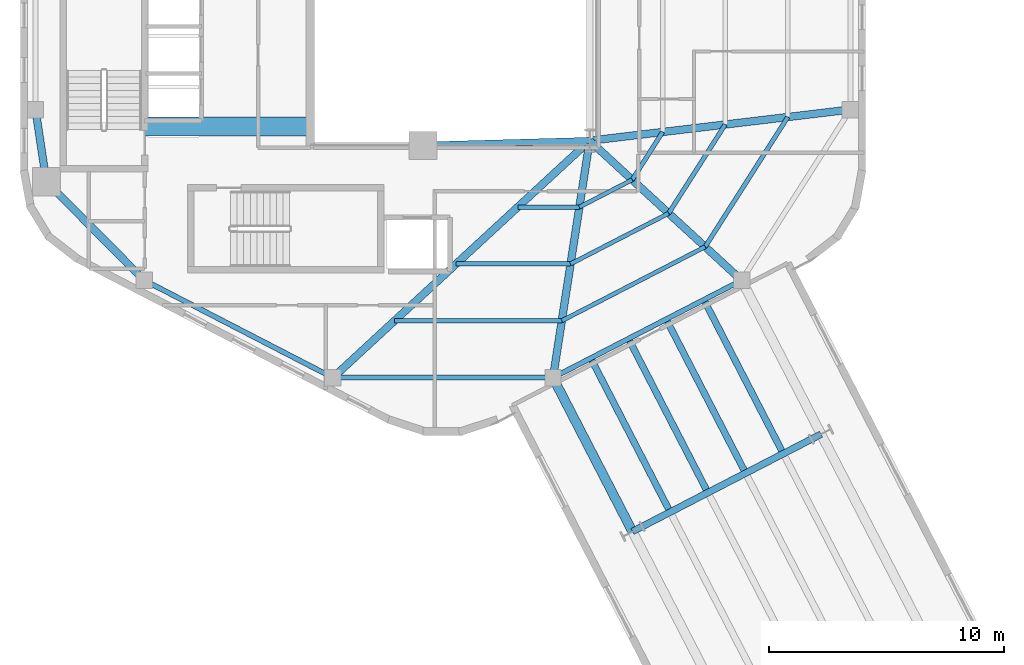
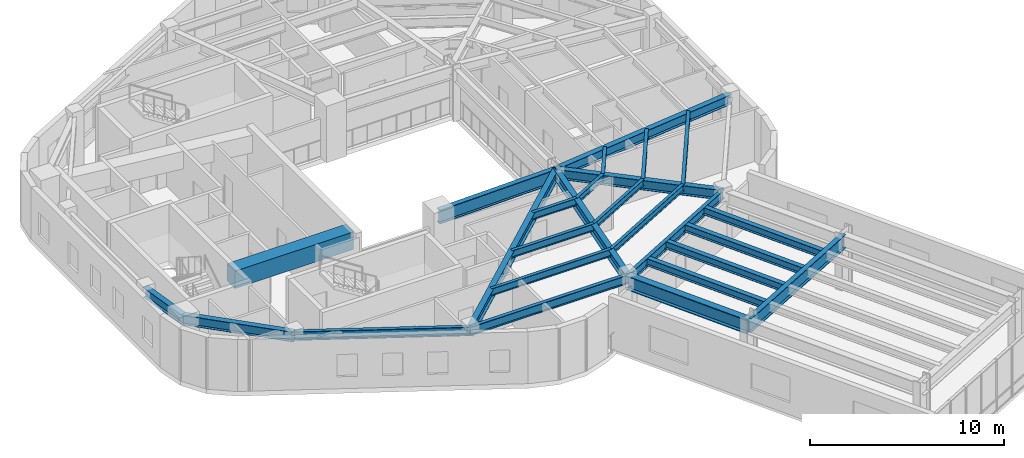
# One storey, part 3 of 10: 26 beams.
"""IFC4 building model written with IfcOpenShell, lengths in metres."""

from ifc_helpers import new_model, si_unit, direction, frame, origin, origin_2d, place, context, subcontext, project, spatial, rectangle, i_section, extrude, material, material_profile, profile_set, type_object, element, save


model = new_model("IFC4")

# Units and contexts
model_context = context("Model", 3, precision=1e-05, world=origin(), true_north=direction((0.0, 1.0)))
body_context = subcontext(model_context, "Body", "Model", "MODEL_VIEW")
ifc_project = project(units=[si_unit("LENGTHUNIT", "METRE"), si_unit("AREAUNIT", "SQUARE_METRE"), si_unit("VOLUMEUNIT", "CUBIC_METRE"), si_unit("PLANEANGLEUNIT", "RADIAN"), si_unit("MASSUNIT", "GRAM", prefix="KILO"), si_unit("THERMODYNAMICTEMPERATUREUNIT", "KELVIN"), si_unit("POWERUNIT", "WATT")], contexts=[model_context])

# Site, building, storey
site_placement = place(None, origin())
site = spatial("IfcSite", under=ifc_project, at=site_placement, CompositionType="ELEMENT")
building_placement = place(site_placement, origin())
building = spatial("IfcBuilding", under=site, at=building_placement, Name="Skarre Station Tower", CompositionType="ELEMENT")
storey_placement = place(building_placement, frame((0.0, 0.0, 238.35009765625)))
storey = spatial("IfcBuildingStorey", under=building, at=storey_placement, Name="L65", CompositionType="ELEMENT", Elevation=238.35009765625)

# Beams
ifc_material_1 = material(Name="Concrete C70/85", Category="concrete")
ifc_material_profile_1 = material_profile(ifc_material_1, rectangle(XDim=0.800048828125, YDim=1.10009765625, at=origin_2d()), Name="Concrete C70/85")
ifc_profile_set_1 = profile_set([ifc_material_profile_1], Name="Concrete C70/85")
beam_type_1 = type_object("IfcBeamType", Name="RC Core Coupling Lintel 800x1100", PredefinedType="LINTEL", material=ifc_profile_set_1)
beam_1_placement = place(storey_placement, frame((20.489990234375, 19.260009765625, 2.7099609375), z_axis=(1.0, 0.0, 0.0), x_axis=(0.0, 1.0, 0.0)))
element("IfcBeam", 1, at=beam_1_placement, inside=storey, type_object=beam_type_1, Name="L65 South Core Coupling Lintel", PredefinedType="LINTEL", context=body_context, shape_type="SweptSolid", body=[
    extrude(rectangle(XDim=0.800048828125, YDim=1.10009765625, at=origin_2d()), origin(), (0.0, 0.0, 1.0), 7.06005859375),
])
ifc_material_2 = material(Name="Steel ASTM A992 Grade 50", Category="steel")
ifc_material_profile_2 = material_profile(ifc_material_2, i_section(OverallWidth=0.323974609375, OverallDepth=0.611083984375, WebThickness=0.012939453125, FlangeThickness=0.01904296875, at=origin_2d()), Name="Steel ASTM A992 Grade 50")
ifc_profile_set_2 = profile_set([ifc_material_profile_2], Name="Steel ASTM A992 Grade 50")
beam_type_2 = type_object("IfcBeamType", Name="Steel Beam W24X104", PredefinedType="BEAM", material=ifc_profile_set_2)
beam_2_placement = place(storey_placement, frame((16.300048828125, 16.89990234375, 2.954833984375), z_axis=(-0.148739188492, 0.988876460336, 0.0), x_axis=(-0.988876460336, -0.148739188492, 0.0)))
element("IfcBeam", 2, at=beam_2_placement, inside=storey, type_object=beam_type_2, Name="L65 Radial Floor Girder F2C2", PredefinedType="BEAM", context=body_context, shape_type="SweptSolid", body=[
    extrude(i_section(OverallWidth=0.323974609375, OverallDepth=0.611083984375, WebThickness=0.012939453125, FlangeThickness=0.01904296875, at=origin_2d()), origin(), (0.0, 0.0, 1.0), 3.11376953125),
])
beam_3_placement = place(storey_placement, frame((16.300048828125, 16.89990234375, 2.954833984375), z_axis=(0.704979413242, -0.709227768002, 0.0), x_axis=(0.709227768002, 0.704979413242, 0.0)))
element("IfcBeam", 3, at=beam_3_placement, inside=storey, type_object=beam_type_2, Name="L65 Radial Floor Girder F3C1", PredefinedType="BEAM", context=body_context, shape_type="SweptSolid", body=[
    extrude(i_section(OverallWidth=0.323974609375, OverallDepth=0.611083984375, WebThickness=0.012939453125, FlangeThickness=0.01904296875, at=origin_2d()), origin(), (0.0, 0.0, 1.0), 5.919189453125),
])
beam_4_placement = place(storey_placement, frame((39.449951171875, 18.64990234375, 2.954833984375), z_axis=(-0.734822935818, -0.678258986668, 0.0), x_axis=(0.678258986668, -0.734822935818, 0.0)))
element("IfcBeam", 4, at=beam_4_placement, inside=storey, type_object=beam_type_2, Name="L65 Radial Floor Girder F3C2", PredefinedType="BEAM", context=body_context, shape_type="SweptSolid", body=[
    extrude(i_section(OverallWidth=0.323974609375, OverallDepth=0.611083984375, WebThickness=0.012939453125, FlangeThickness=0.01904296875, at=origin_2d()), origin(), (0.0, 0.0, 1.0), 14.886474609375),
])
beam_5_placement = place(storey_placement, frame((39.449951171875, 18.64990234375, 2.954833984375), z_axis=(-0.152789762931, -0.988258715288, 0.0), x_axis=(0.988258715288, -0.152789762931, 0.0)))
element("IfcBeam", 5, at=beam_5_placement, inside=storey, type_object=beam_type_2, Name="L65 Radial Floor Girder F4C1", PredefinedType="BEAM", context=body_context, shape_type="SweptSolid", body=[
    extrude(i_section(OverallWidth=0.323974609375, OverallDepth=0.611083984375, WebThickness=0.012939453125, FlangeThickness=0.01904296875, at=origin_2d()), origin(), (0.0, 0.0, 1.0), 10.216796875),
])
beam_6_placement = place(storey_placement, frame((39.449951171875, 18.64990234375, 2.954833984375), z_axis=(0.736547671183, -0.676385635621, 0.0), x_axis=(0.676385635621, 0.736547671183, 0.0)))
element("IfcBeam", 6, at=beam_6_placement, inside=storey, type_object=beam_type_2, Name="L65 Radial Floor Girder F4C2", PredefinedType="BEAM", context=body_context, shape_type="SweptSolid", body=[
    extrude(i_section(OverallWidth=0.323974609375, OverallDepth=0.611083984375, WebThickness=0.012939453125, FlangeThickness=0.01904296875, at=origin_2d()), origin(), (0.0, 0.0, 1.0), 8.793701171875),
])
beam_7_placement = place(storey_placement, frame((39.449951171875, 18.64990234375, 2.954833984375), z_axis=(0.99292393128, 0.118752122891, 0.0), x_axis=(-0.118752122891, 0.99292393128, 0.0)))
element("IfcBeam", 7, at=beam_7_placement, inside=storey, type_object=beam_type_2, Name="L65 Radial Floor Girder F5C1", PredefinedType="BEAM", context=body_context, shape_type="SweptSolid", body=[
    extrude(i_section(OverallWidth=0.323974609375, OverallDepth=0.611083984375, WebThickness=0.012939453125, FlangeThickness=0.01904296875, at=origin_2d()), origin(), (0.0, 0.0, 1.0), 11.192138671875),
])
ifc_material_profile_3 = material_profile(ifc_material_2, i_section(OverallWidth=0.2919921875, OverallDepth=0.85888671875, WebThickness=0.01708984375, FlangeThickness=0.031005859375, at=origin_2d()), Name="Steel ASTM A992 Grade 50")
ifc_profile_set_3 = profile_set([ifc_material_profile_3], Name="Steel ASTM A992 Grade 50")
beam_type_3 = type_object("IfcBeamType", Name="Steel Beam W33X169", PredefinedType="BEAM", material=ifc_profile_set_3)
beam_8_placement = place(storey_placement, frame((32.35009765625, 18.449951171875, 2.830810546875), z_axis=(0.999603666405, 0.028151556095, 0.0), x_axis=(-0.028151556095, 0.999603666405, 0.0)))
element("IfcBeam", 8, at=beam_8_placement, inside=storey, type_object=beam_type_3, Name="L65 Atrium South Edge Girder", PredefinedType="BEAM", context=body_context, shape_type="SweptSolid", body=[
    extrude(i_section(OverallWidth=0.2919921875, OverallDepth=0.85888671875, WebThickness=0.01708984375, FlangeThickness=0.031005859375, at=origin_2d()), origin(), (0.0, 0.0, 1.0), 7.102783203125),
])
beam_9_placement = place(storey_placement, frame((41.27392578125, 1.9951171875, 2.830810546875), z_axis=(0.888610011727, 0.458663544505, 0.0), x_axis=(-0.458663544505, 0.888610011727, 0.0)))
element("IfcBeam", 9, at=beam_9_placement, inside=storey, type_object=beam_type_3, Name="L65 SB-5 Mid Transverse Girder", PredefinedType="BEAM", context=body_context, shape_type="SweptSolid", body=[
    extrude(i_section(OverallWidth=0.2919921875, OverallDepth=0.85888671875, WebThickness=0.01708984375, FlangeThickness=0.031005859375, at=origin_2d()), origin(), (0.0, 0.0, 1.0), 9.045654296875),
])
ifc_material_profile_4 = material_profile(ifc_material_2, i_section(OverallWidth=0.40087890625, OverallDepth=0.876953125, WebThickness=0.02197265625, FlangeThickness=0.0400390625, at=origin_2d()), Name="Steel ASTM A992 Grade 50")
ifc_profile_set_4 = profile_set([ifc_material_profile_4], Name="Steel ASTM A992 Grade 50")
beam_type_4 = type_object("IfcBeamType", Name="Steel Beam W33X263", PredefinedType="BEAM", material=ifc_profile_set_4)
beam_10_placement = place(storey_placement, frame((37.888916015625, 8.552978515625, 2.822021484375), z_axis=(0.45867578355, -0.888603694334, 0.0), x_axis=(0.888603694334, 0.45867578355, 0.0)))
element("IfcBeam", 10, at=beam_10_placement, inside=storey, type_object=beam_type_4, Name="L65 SB-5 Side 1 Inner Girder", PredefinedType="BEAM", context=body_context, shape_type="SweptSolid", body=[
    extrude(i_section(OverallWidth=0.40087890625, OverallDepth=0.876953125, WebThickness=0.02197265625, FlangeThickness=0.0400390625, at=origin_2d()), origin(), (0.0, 0.0, 1.0), 7.3798828125),
])
ifc_material_profile_5 = material_profile(ifc_material_2, i_section(OverallWidth=0.177978515625, OverallDepth=0.403076171875, WebThickness=0.008056640625, FlangeThickness=0.010986328125, at=origin_2d()), Name="Steel ASTM A992 Grade 50")
ifc_profile_set_5 = profile_set([ifc_material_profile_5], Name="Steel ASTM A992 Grade 50")
beam_type_5 = type_object("IfcBeamType", Name="Steel Joist W16X36", PredefinedType="JOIST", material=ifc_profile_set_5)
beam_11_placement = place(storey_placement, frame((39.012939453125, 15.822998046875, 3.058837890625), z_axis=(0.888569970054, 0.458741112522, 0.0), x_axis=(-0.458741112522, 0.888569970054, 0.0)))
element("IfcBeam", 11, at=beam_11_placement, inside=storey, type_object=beam_type_5, Name="L65 Auxiliary Composite Joist 15", PredefinedType="JOIST", context=body_context, shape_type="SweptSolid", body=[
    extrude(i_section(OverallWidth=0.177978515625, OverallDepth=0.403076171875, WebThickness=0.008056640625, FlangeThickness=0.010986328125, at=origin_2d()), origin(), (0.0, 0.0, 1.0), 2.533203125),
])
beam_12_placement = place(storey_placement, frame((38.637939453125, 13.39990234375, 3.058837890625), z_axis=(0.88866637077, 0.458554338614, 0.0), x_axis=(-0.458554338614, 0.88866637077, 0.0)))
element("IfcBeam", 12, at=beam_12_placement, inside=storey, type_object=beam_type_5, Name="L65 Auxiliary Composite Joist 16", PredefinedType="JOIST", context=body_context, shape_type="SweptSolid", body=[
    extrude(i_section(OverallWidth=0.177978515625, OverallDepth=0.403076171875, WebThickness=0.008056640625, FlangeThickness=0.010986328125, at=origin_2d()), origin(), (0.0, 0.0, 1.0), 4.703857421875),
])
beam_13_placement = place(storey_placement, frame((38.263916015625, 10.97607421875, 3.058837890625), z_axis=(0.888578636, 0.458724326414, 0.0), x_axis=(-0.458724326414, 0.888578636, 0.0)))
element("IfcBeam", 13, at=beam_13_placement, inside=storey, type_object=beam_type_5, Name="L65 Auxiliary Composite Joist 17", PredefinedType="JOIST", context=body_context, shape_type="SweptSolid", body=[
    extrude(i_section(OverallWidth=0.177978515625, OverallDepth=0.403076171875, WebThickness=0.008056640625, FlangeThickness=0.010986328125, at=origin_2d()), origin(), (0.0, 0.0, 1.0), 6.875244140625),
])
ifc_material_profile_6 = material_profile(ifc_material_2, i_section(OverallWidth=0.19091796875, OverallDepth=0.45703125, WebThickness=0.009033203125, FlangeThickness=0.013916015625, at=origin_2d()), Name="Steel ASTM A992 Grade 50")
ifc_profile_set_6 = profile_set([ifc_material_profile_6], Name="Steel ASTM A992 Grade 50")
beam_type_6 = type_object("IfcBeamType", Name="Steel Joist W18X50", PredefinedType="JOIST", material=ifc_profile_set_6)
beam_14_placement = place(storey_placement, frame((36.386962890625, 15.822998046875, 3.031982421875), z_axis=(1.0, 0.0, 0.0), x_axis=(0.0, 1.0, 0.0)))
element("IfcBeam", 14, at=beam_14_placement, inside=storey, type_object=beam_type_6, Name="L65 Auxiliary Composite Joist 12", PredefinedType="JOIST", context=body_context, shape_type="SweptSolid", body=[
    extrude(i_section(OverallWidth=0.19091796875, OverallDepth=0.45703125, WebThickness=0.009033203125, FlangeThickness=0.013916015625, at=origin_2d()), origin(), (0.0, 0.0, 1.0), 2.6259765625),
])
beam_15_placement = place(storey_placement, frame((33.761962890625, 13.39990234375, 3.031982421875), z_axis=(1.0, 0.0, 0.0), x_axis=(0.0, 1.0, 0.0)))
element("IfcBeam", 15, at=beam_15_placement, inside=storey, type_object=beam_type_6, Name="L65 Auxiliary Composite Joist 13", PredefinedType="JOIST", context=body_context, shape_type="SweptSolid", body=[
    extrude(i_section(OverallWidth=0.19091796875, OverallDepth=0.45703125, WebThickness=0.009033203125, FlangeThickness=0.013916015625, at=origin_2d()), origin(), (0.0, 0.0, 1.0), 4.8759765625),
])
beam_16_placement = place(storey_placement, frame((31.135986328125, 10.97607421875, 3.031982421875), z_axis=(1.0, 0.0, 0.0), x_axis=(0.0, 1.0, 0.0)))
element("IfcBeam", 16, at=beam_16_placement, inside=storey, type_object=beam_type_6, Name="L65 Auxiliary Composite Joist 14", PredefinedType="JOIST", context=body_context, shape_type="SweptSolid", body=[
    extrude(i_section(OverallWidth=0.19091796875, OverallDepth=0.45703125, WebThickness=0.009033203125, FlangeThickness=0.013916015625, at=origin_2d()), origin(), (0.0, 0.0, 1.0), 7.1279296875),
])
beam_17_placement = place(storey_placement, frame((41.263916015625, 16.985107421875, 3.031982421875), z_axis=(0.537437848622, 0.843303361116, 0.0), x_axis=(-0.843303361116, 0.537437848622, 0.0)))
element("IfcBeam", 17, at=beam_17_placement, inside=storey, type_object=beam_type_6, Name="L65 Auxiliary Composite Joist 18", PredefinedType="JOIST", context=body_context, shape_type="SweptSolid", body=[
    extrude(i_section(OverallWidth=0.19091796875, OverallDepth=0.45703125, WebThickness=0.009033203125, FlangeThickness=0.013916015625, at=origin_2d()), origin(), (0.0, 0.0, 1.0), 2.415283203125),
])
beam_18_placement = place(storey_placement, frame((42.818115234375, 15.556884765625, 3.031982421875), z_axis=(0.53731551376, 0.843381312737, 0.0), x_axis=(-0.843381312737, 0.53731551376, 0.0)))
element("IfcBeam", 18, at=beam_18_placement, inside=storey, type_object=beam_type_6, Name="L65 Auxiliary Composite Joist 19", PredefinedType="JOIST", context=body_context, shape_type="SweptSolid", body=[
    extrude(i_section(OverallWidth=0.19091796875, OverallDepth=0.45703125, WebThickness=0.009033203125, FlangeThickness=0.013916015625, at=origin_2d()), origin(), (0.0, 0.0, 1.0), 4.48681640625),
])
beam_19_placement = place(storey_placement, frame((44.373046875, 14.1298828125, 3.031982421875), z_axis=(0.537292232804, 0.843396144507, 0.0), x_axis=(-0.843396144507, 0.537292232804, 0.0)))
element("IfcBeam", 19, at=beam_19_placement, inside=storey, type_object=beam_type_6, Name="L65 Auxiliary Composite Joist 20", PredefinedType="JOIST", context=body_context, shape_type="SweptSolid", body=[
    extrude(i_section(OverallWidth=0.19091796875, OverallDepth=0.45703125, WebThickness=0.009033203125, FlangeThickness=0.013916015625, at=origin_2d()), origin(), (0.0, 0.0, 1.0), 6.556884765625),
])
ifc_material_profile_7 = material_profile(ifc_material_2, i_section(OverallWidth=0.280029296875, OverallDepth=0.462890625, WebThickness=0.010986328125, FlangeThickness=0.01708984375, at=origin_2d()), Name="Steel ASTM A992 Grade 50")
ifc_profile_set_7 = profile_set([ifc_material_profile_7], Name="Steel ASTM A992 Grade 50")
beam_type_7 = type_object("IfcBeamType", Name="Steel Joist W18X76", PredefinedType="JOIST", material=ifc_profile_set_7)
for number, where, z_axis, x_axis, name in (
    (20, (39.4970703125, 9.383056640625, 3.02880859375), (0.458648076258, -0.888617995623, 0.0), (0.888617995623, 0.458648076258, 0.0), "L65 SB-5 Inner Deck Joist 1"),
    (21, (41.10400390625, 10.212890625, 3.02880859375), (0.458688468876, -0.888597146361, 0.0), (0.888597146361, 0.458688468876, 0.0), "L65 SB-5 Inner Deck Joist 2"),
    (22, (42.7119140625, 11.0419921875, 3.02880859375), (0.458688468876, -0.888597146361, 0.0), (0.888597146361, 0.458688468876, 0.0), "L65 SB-5 Inner Deck Joist 3"),
    (23, (44.319091796875, 11.8720703125, 3.02880859375), (0.458648076258, -0.888617995623, 0.0), (0.888617995623, 0.458648076258, 0.0), "L65 SB-5 Inner Deck Joist 4"),
):
    element("IfcBeam", number, at=place(storey_placement, frame(where, z_axis=z_axis, x_axis=x_axis)), inside=storey, type_object=beam_type_7, Name=name, PredefinedType="JOIST", context=body_context, shape_type="SweptSolid", body=[
        extrude(i_section(OverallWidth=0.280029296875, OverallDepth=0.462890625, WebThickness=0.010986328125, FlangeThickness=0.01708984375, at=origin_2d()), origin(), (0.0, 0.0, 1.0), 7.236083984375),
    ])
ifc_material_profile_8 = material_profile(ifc_material_2, i_section(OverallWidth=0.214111328125, OverallDepth=0.549072265625, WebThickness=0.014892578125, FlangeThickness=0.02392578125, at=origin_2d()), Name="Steel ASTM A992 Grade 50")
ifc_profile_set_8 = profile_set([ifc_material_profile_8], Name="Steel ASTM A992 Grade 50")
beam_type_8 = type_object("IfcBeamType", Name="Steel Spandrel W21X93", PredefinedType="SPANDREL", material=ifc_profile_set_8)
beam_20_placement = place(storey_placement, frame((20.472900390625, 12.701904296875, 2.98583984375), z_axis=(0.888610011727, -0.458663544505, 0.0), x_axis=(0.458663544505, 0.888610011727, 0.0)))
element("IfcBeam", 24, at=beam_20_placement, inside=storey, type_object=beam_type_8, Name="L65 Facet Spandrel Beam 7", PredefinedType="SPANDREL", context=body_context, shape_type="SweptSolid", body=[
    extrude(i_section(OverallWidth=0.214111328125, OverallDepth=0.549072265625, WebThickness=0.014892578125, FlangeThickness=0.02392578125, at=origin_2d()), origin(), (0.0, 0.0, 1.0), 9.045654296875),
])
beam_21_placement = place(storey_placement, frame((28.510986328125, 8.552978515625, 2.98583984375), z_axis=(1.0, 0.0, 0.0), x_axis=(0.0, 1.0, 0.0)))
element("IfcBeam", 25, at=beam_21_placement, inside=storey, type_object=beam_type_8, Name="L65 Facet Spandrel Beam 8", PredefinedType="SPANDREL", context=body_context, shape_type="SweptSolid", body=[
    extrude(i_section(OverallWidth=0.214111328125, OverallDepth=0.549072265625, WebThickness=0.014892578125, FlangeThickness=0.02392578125, at=origin_2d()), origin(), (0.0, 0.0, 1.0), 9.3779296875),
])
beam_22_placement = place(storey_placement, frame((37.888916015625, 8.552978515625, 2.98583984375), z_axis=(0.888610011727, 0.458663544505, 0.0), x_axis=(-0.458663544505, 0.888610011727, 0.0)))
element("IfcBeam", 26, at=beam_22_placement, inside=storey, type_object=beam_type_8, Name="L65 Facet Spandrel Beam 9", PredefinedType="SPANDREL", context=body_context, shape_type="SweptSolid", body=[
    extrude(i_section(OverallWidth=0.214111328125, OverallDepth=0.549072265625, WebThickness=0.014892578125, FlangeThickness=0.02392578125, at=origin_2d()), origin(), (0.0, 0.0, 1.0), 9.045654296875),
])

save(model, "model.ifc")
